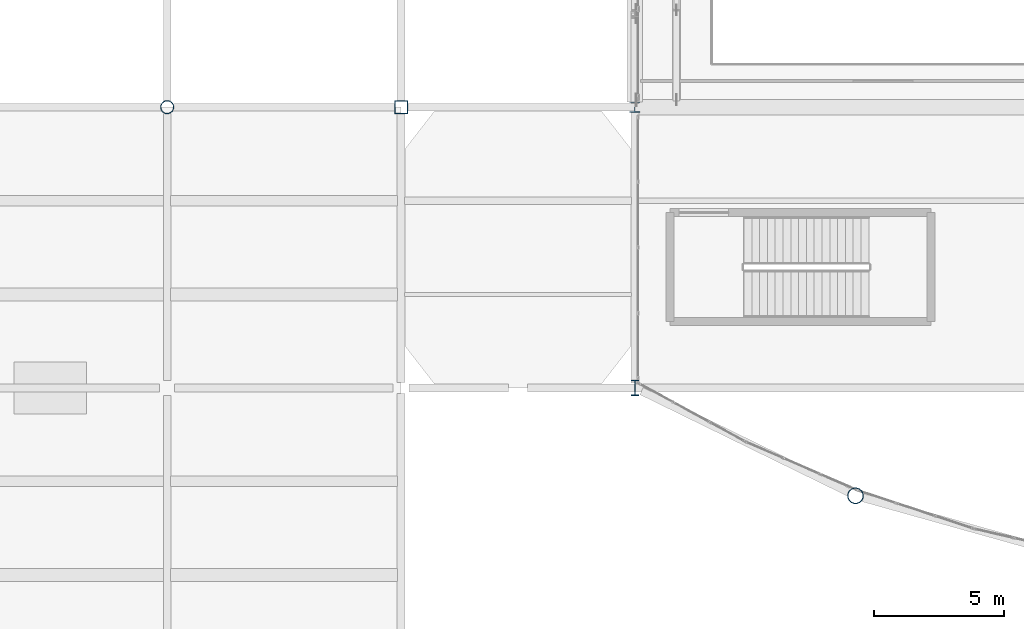
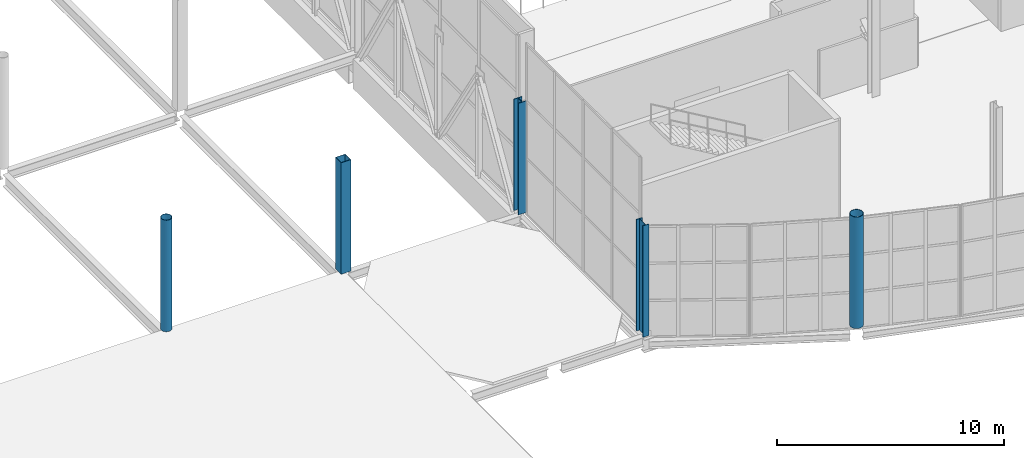
# One storey, part 2 of 191: 5 columns.
"""IFC4 building model written with IfcOpenShell, lengths in metres."""

from ifc_helpers import new_model, si_unit, direction, frame, origin, origin_2d, place, context, subcontext, project, spatial, hollow_rectangle, hollow_circle, i_section, extrude, material, material_profile, profile_set, type_object, element, save


model = new_model("IFC4")

# Units and contexts
model_context = context("Model", 3, precision=1e-05, world=origin(), true_north=direction((0.0, 1.0)))
body_context = subcontext(model_context, "Body", "Model", "MODEL_VIEW")
ifc_project = project(units=[si_unit("LENGTHUNIT", "METRE"), si_unit("AREAUNIT", "SQUARE_METRE"), si_unit("VOLUMEUNIT", "CUBIC_METRE"), si_unit("PLANEANGLEUNIT", "RADIAN"), si_unit("MASSUNIT", "GRAM", prefix="KILO")], contexts=[model_context])

# Site, building, storey
site_placement = place(None, origin())
site = spatial("IfcSite", under=ifc_project, at=site_placement, CompositionType="ELEMENT")
building_placement = place(site_placement, origin())
building = spatial("IfcBuilding", under=site, at=building_placement, Name="Tamarisk Ironworks Central Station", CompositionType="ELEMENT")
storey_placement = place(building_placement, frame((0.0, 0.0, 6.60009765625)))
storey = spatial("IfcBuildingStorey", under=building, at=storey_placement, Name="L01", CompositionType="ELEMENT", Elevation=6.60009765625)

# Columns
ifc_material_1 = material(Name="Structural steel S355J2", Category="steel")
ifc_material_profile_1 = material_profile(ifc_material_1, i_section(OverallWidth=0.406005859375, OverallDepth=0.416015625, WebThickness=0.022705078125, FlangeThickness=0.034912109375, at=origin_2d()), Name="HD 400x382")
ifc_profile_set_1 = profile_set([ifc_material_profile_1], Name="Structural steel S355J2")
column_type_1 = type_object("IfcColumnType", Name="COL-S02", PredefinedType="COLUMN", material=ifc_profile_set_1)
column_1_placement = place(storey_placement, frame((54.0, 21.60009765625, 0.0), z_axis=(0.0, 0.0, 1.0), x_axis=(1.0, 0.0, 0.0)))
element("IfcColumn", 1, at=column_1_placement, inside=storey, type_object=column_type_1, Name="L01 column V2-07C", PredefinedType="COLUMN", context=body_context, shape_type="SweptSolid", body=[
    extrude(i_section(OverallWidth=0.406005859375, OverallDepth=0.416015625, WebThickness=0.022705078125, FlangeThickness=0.034912109375, at=origin_2d()), origin(), (0.0, 0.0, 1.0), 6.0),
])
ifc_material_profile_2 = material_profile(ifc_material_1, i_section(OverallWidth=0.300048828125, OverallDepth=0.60009765625, WebThickness=0.015380859375, FlangeThickness=0.029052734375, at=origin_2d()), Name="HEB 600")
ifc_profile_set_2 = profile_set([ifc_material_profile_2], Name="Structural steel S355J2")
column_type_2 = type_object("IfcColumnType", Name="COL-S05", PredefinedType="COLUMN", material=ifc_profile_set_2)
column_2_placement = place(storey_placement, frame((54.0, 10.800048828125, 0.0), z_axis=(0.0, 0.0, 1.0), x_axis=(1.0, 0.0, 0.0)))
element("IfcColumn", 2, at=column_2_placement, inside=storey, type_object=column_type_2, Name="L01 column V2-07B", PredefinedType="COLUMN", context=body_context, shape_type="SweptSolid", body=[
    extrude(i_section(OverallWidth=0.300048828125, OverallDepth=0.60009765625, WebThickness=0.015380859375, FlangeThickness=0.029052734375, at=origin_2d()), origin(), (0.0, 0.0, 1.0), 6.0),
])
ifc_material_2 = material(Name="Structural steel S355J2H", Category="steel")
ifc_material_profile_3 = material_profile(ifc_material_2, hollow_rectangle(XDim=0.5, YDim=0.5, WallThickness=0.02001953125, at=origin_2d()), Name="SHS 500x500x20")
ifc_profile_set_3 = profile_set([ifc_material_profile_3], Name="Structural steel S355J2H")
column_type_3 = type_object("IfcColumnType", Name="COL-S13", PredefinedType="COLUMN", material=ifc_profile_set_3)
column_3_placement = place(storey_placement, frame((45.0, 21.60009765625, 0.0), z_axis=(0.0, 0.0, 1.0), x_axis=(1.0, 0.0, 0.0)))
element("IfcColumn", 3, at=column_3_placement, inside=storey, type_object=column_type_3, Name="L01 column V1-06C", PredefinedType="COLUMN", context=body_context, shape_type="SweptSolid", body=[
    extrude(hollow_rectangle(XDim=0.5, YDim=0.5, WallThickness=0.02001953125, at=origin_2d()), origin(), (0.0, 0.0, 1.0), 6.0),
])
ifc_material_3 = material(Name="Painted structural steel S355J2", Category="steel")
ifc_material_profile_4 = material_profile(ifc_material_3, hollow_circle(Radius=0.304931640625, WallThickness=0.02001953125, at=origin_2d()), Name="CHS 610x20")
ifc_profile_set_4 = profile_set([ifc_material_profile_4], Name="Painted structural steel S355J2")
column_type_4 = type_object("IfcColumnType", Name="COL-S15", PredefinedType="COLUMN", material=ifc_profile_set_4)
column_4_placement = place(storey_placement, frame((62.48876953125, 6.6474609375, 0.0), z_axis=(0.0, 0.0, 1.0), x_axis=(1.0, 0.0, 0.0)))
element("IfcColumn", 4, at=column_4_placement, inside=storey, type_object=column_type_4, Name="L01 column V2-SN02", PredefinedType="COLUMN", context=body_context, shape_type="SweptSolid", body=[
    extrude(hollow_circle(Radius=0.304931640625, WallThickness=0.02001953125, at=origin_2d()), origin(), (0.0, 0.0, 1.0), 6.0),
])
ifc_material_profile_5 = material_profile(ifc_material_2, hollow_circle(Radius=0.25390625, WallThickness=0.01611328125, at=origin_2d()), Name="CHS 508x16")
ifc_profile_set_5 = profile_set([ifc_material_profile_5], Name="Structural steel S355J2H")
column_type_5 = type_object("IfcColumnType", Name="COL-S16", PredefinedType="COLUMN", material=ifc_profile_set_5)
column_5_placement = place(storey_placement, frame((36.0, 21.60009765625, 0.0), z_axis=(0.0, 0.0, 1.0), x_axis=(1.0, 0.0, 0.0)))
element("IfcColumn", 5, at=column_5_placement, inside=storey, type_object=column_type_5, Name="L01 column V1-05C", PredefinedType="COLUMN", context=body_context, shape_type="SweptSolid", body=[
    extrude(hollow_circle(Radius=0.25390625, WallThickness=0.01611328125, at=origin_2d()), origin(), (0.0, 0.0, 1.0), 6.0),
])

save(model, "model.ifc")
